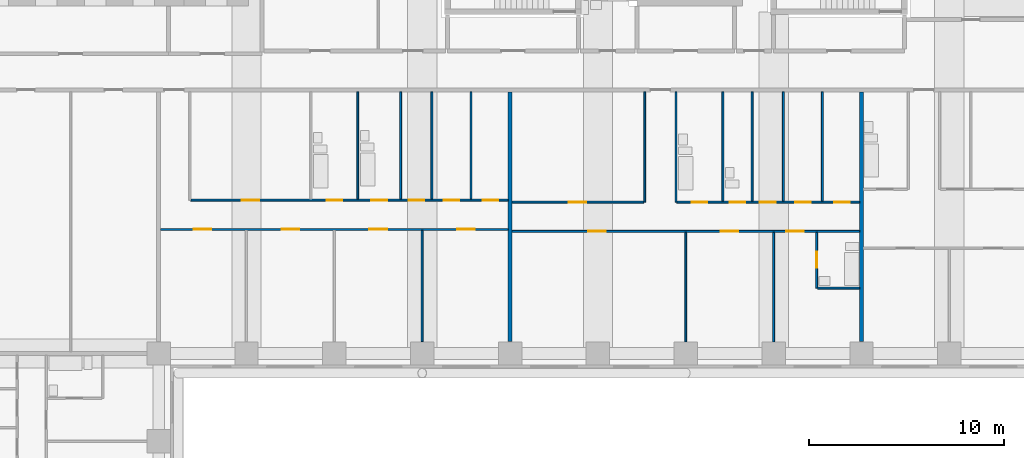
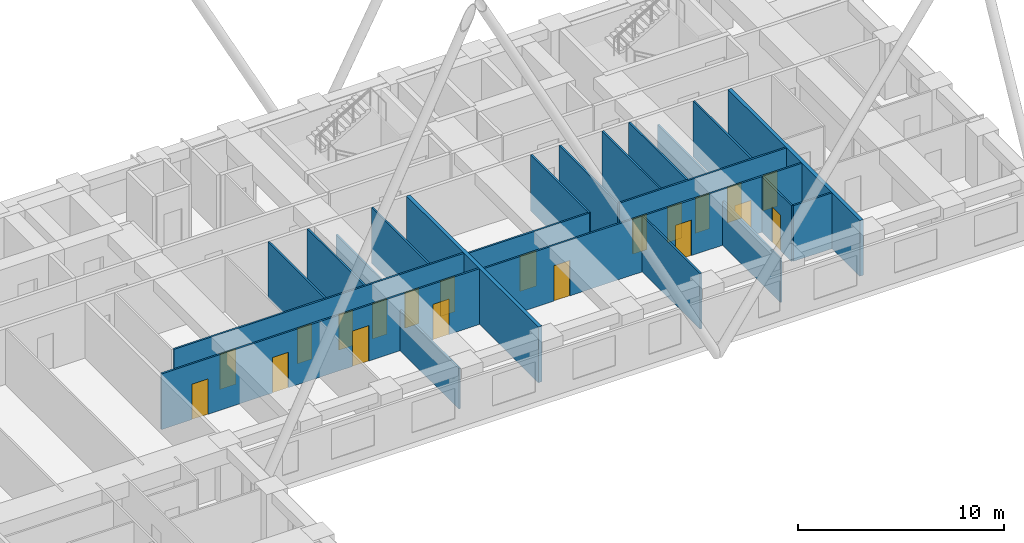
# One storey, part 7 of 12: 22 walls, 20 doors, 20 openings.
"""IFC4 building model written with IfcOpenShell, lengths in metres."""

from ifc_helpers import new_model, si_unit, direction, frame, frame_2d, origin, place, context, subcontext, project, spatial, rectangle, extrude, material, layer, layer_set, type_object, element, fill, save


model = new_model("IFC4")

# Units and contexts
model_context = context("Model", 3, precision=1e-05, world=origin(), true_north=direction((0.0, 1.0)))
body_context = subcontext(model_context, "Body", "Model", "MODEL_VIEW")
ifc_project = project(units=[si_unit("LENGTHUNIT", "METRE"), si_unit("AREAUNIT", "SQUARE_METRE"), si_unit("VOLUMEUNIT", "CUBIC_METRE"), si_unit("PLANEANGLEUNIT", "RADIAN"), si_unit("MASSUNIT", "GRAM", prefix="KILO")], contexts=[model_context])

# Site, building, storey
site_placement = place(None, origin())
site = spatial("IfcSite", under=ifc_project, at=site_placement, CompositionType="ELEMENT")
building_placement = place(site_placement, origin())
building = spatial("IfcBuilding", under=site, at=building_placement, Name="Firuza Court", CompositionType="ELEMENT")
storey_placement = place(building_placement, frame((0.0, 0.0, 93.800048828125)))
storey = spatial("IfcBuildingStorey", under=building, at=storey_placement, Name="L23", CompositionType="ELEMENT", Elevation=93.800048828125)

# Wall, opening, door
ifc_material_1 = material(Name="Moisture-resistant gypsum board partition")
ifc_layer_1 = layer(ifc_material_1, 0.10009765625)
ifc_layer_set_1 = layer_set([ifc_layer_1], Name="Moisture-resistant gypsum board partition")
wall_type_1 = type_object("IfcWallType", Name="Bathroom partition 100", PredefinedType="PLUMBINGWALL", material=ifc_layer_set_1)
wall_1_placement = place(storey_placement, frame((56.199951171875, 39.35009765625, 0.0), z_axis=(0.0, 0.0, 1.0), x_axis=(0.0, 1.0, 0.0)))
wall_1 = element("IfcWall", 1, at=wall_1_placement, inside=storey, type_object=wall_type_1, Name="Bathroom partition 100 L23", PredefinedType="PLUMBINGWALL", context=body_context, shape_type="SweptSolid", body=[
    extrude(rectangle(XDim=2.849853515625, YDim=0.10009765625, at=frame_2d((1.4248046875, 0.0))), origin(), (0.0, 0.0, 1.0), 3.300048828125),
])
opening_1_placement = place(wall_1_placement, frame((1.050048828125, 0.0, 0.0)))
opening_1 = element("IfcOpeningElement", 2, at=opening_1_placement, cuts=wall_1, Name="Opening D23041", PredefinedType="OPENING", context=body_context, shape_type="SweptSolid", body=[
    extrude(rectangle(XDim=0.800048828125, YDim=2.10009765625, at=frame_2d((0.39990234375, 1.050048828125))), frame((0.0, 0.06201171875, 0.0), z_axis=(0.0, -1.0, 0.0), x_axis=(1.0, 0.0, 0.0)), (0.0, 0.0, 1.0), 0.1240234375),
])
ifc_material_2 = material(Name="Timber door leaf in hardwood frame", Category="wood")
door_type_1 = type_object("IfcDoorType", Name="Bathroom door 800", OperationType="SINGLE_SWING_LEFT", PredefinedType="DOOR", material=ifc_material_2)
door_1_placement = place(opening_1_placement, frame((0.800048828125, 0.0, 0.0), z_axis=(0.0, 0.0, 1.0), x_axis=(-1.0, 0.0, 0.0)))
door_1 = element("IfcDoor", 3, at=door_1_placement, inside=storey, type_object=door_type_1, Name="En-suite door", OperationType="SINGLE_SWING_RIGHT", OverallHeight=2.10009765625, OverallWidth=0.800048828125, PredefinedType="DOOR", context=body_context, shape_type="SweptSolid", body=[
    extrude(rectangle(XDim=0.800048828125, YDim=2.10009765625, at=frame_2d((0.39990234375, 1.050048828125))), frame((0.0, 0.02490234375, 0.0), z_axis=(0.0, -1.0, 0.0), x_axis=(1.0, 0.0, 0.0)), (0.0, 0.0, 1.0), 0.050048828125),
])
fill(opening_1, door_1)

# Walls
wall_2_placement = place(storey_placement, frame((56.25, 39.35009765625, 0.0), z_axis=(0.0, 0.0, 1.0), x_axis=(1.0, 0.0, 0.0)))
element("IfcWall", 4, at=wall_2_placement, inside=storey, type_object=wall_type_1, Name="Bathroom partition 100 L23", PredefinedType="PLUMBINGWALL", context=body_context, shape_type="SweptSolid", body=[
    extrude(rectangle(XDim=2.14990234375, YDim=0.10009765625, at=frame_2d((1.074951171875, 0.0))), origin(), (0.0, 0.0, 1.0), 3.300048828125),
])
wall_3_placement = place(storey_placement, frame((49.0, 43.75, 0.0), z_axis=(0.0, 0.0, 1.0), x_axis=(0.0, 1.0, 0.0)))
element("IfcWall", 5, at=wall_3_placement, inside=storey, type_object=wall_type_1, Name="Bathroom partition 100 L23", PredefinedType="PLUMBINGWALL", context=body_context, shape_type="SweptSolid", body=[
    extrude(rectangle(XDim=5.64990234375, YDim=0.10009765625, at=frame_2d((2.824951171875, 0.0))), origin(), (0.0, 0.0, 1.0), 3.300048828125),
])
for number, where, z_axis, x_axis, name in (
    (6, (51.39990234375, 43.800048828125, 0.0), (0.0, 0.0, 1.0), (0.0, 1.0, 0.0), "Bathroom partition 100 L23"),
    (7, (52.89990234375, 43.800048828125, 0.0), (0.0, 0.0, 1.0), (0.0, 1.0, 0.0), "Bathroom partition 100 L23"),
):
    element("IfcWall", number, at=place(storey_placement, frame(where, z_axis=z_axis, x_axis=x_axis)), inside=storey, type_object=wall_type_1, Name=name, PredefinedType="PLUMBINGWALL", context=body_context, shape_type="SweptSolid", body=[
        extrude(rectangle(XDim=5.599853515625, YDim=0.10009765625, at=frame_2d((2.7998046875, 0.0))), origin(), (0.0, 0.0, 1.0), 3.300048828125),
    ])
for number, where, z_axis, x_axis, name in (
    (8, (32.699951171875, 43.89990234375, 0.0), (0.0, 0.0, 1.0), (0.0, 1.0, 0.0), "Bathroom partition 100 L23"),
    (9, (34.89990234375, 43.89990234375, 0.0), (0.0, 0.0, 1.0), (0.0, 1.0, 0.0), "Bathroom partition 100 L23"),
):
    element("IfcWall", number, at=place(storey_placement, frame(where, z_axis=z_axis, x_axis=x_axis)), inside=storey, type_object=wall_type_1, Name=name, PredefinedType="PLUMBINGWALL", context=body_context, shape_type="SweptSolid", body=[
        extrude(rectangle(XDim=5.5, YDim=0.10009765625, at=frame_2d((2.75, 0.0))), origin(), (0.0, 0.0, 1.0), 3.300048828125),
    ])
ifc_material_3 = material(Name="Timber stud partition, plasterboard both sides", Category="wood")
ifc_layer_2 = layer(ifc_material_3, 0.10009765625)
ifc_layer_set_2 = layer_set([ifc_layer_2], Name="Timber stud partition, plasterboard both sides")
wall_type_2 = type_object("IfcWallType", Name="Partition wall 100", PredefinedType="PARTITIONING", material=ifc_layer_set_2)
wall_4_placement = place(storey_placement, frame((36.0, 36.60009765625, 0.0), z_axis=(0.0, 0.0, 1.0), x_axis=(0.0, 1.0, 0.0)))
element("IfcWall", 10, at=wall_4_placement, inside=storey, type_object=wall_type_2, Name="Partition wall 100 L23", PredefinedType="PARTITIONING", context=body_context, shape_type="SweptSolid", body=[
    extrude(rectangle(XDim=5.699951171875, YDim=0.10009765625, at=frame_2d((2.85009765625, 0.0))), origin(), (0.0, 0.0, 1.0), 2.39990234375),
])
wall_5_placement = place(storey_placement, frame((49.5, 36.60009765625, 0.0), z_axis=(0.0, 0.0, 1.0), x_axis=(0.0, 1.0, 0.0)))
element("IfcWall", 11, at=wall_5_placement, inside=storey, type_object=wall_type_2, Name="Partition wall 100 L23", PredefinedType="PARTITIONING", context=body_context, shape_type="SweptSolid", body=[
    extrude(rectangle(XDim=5.599853515625, YDim=0.10009765625, at=frame_2d((2.7998046875, 0.0))), origin(), (0.0, 0.0, 1.0), 3.300048828125),
])
wall_6_placement = place(storey_placement, frame((54.0, 36.60009765625, 0.0), z_axis=(0.0, 0.0, 1.0), x_axis=(0.0, 1.0, 0.0)))
element("IfcWall", 12, at=wall_6_placement, inside=storey, type_object=wall_type_2, Name="Partition wall 100 L23", PredefinedType="PARTITIONING", context=body_context, shape_type="SweptSolid", body=[
    extrude(rectangle(XDim=5.599853515625, YDim=0.10009765625, at=frame_2d((2.7998046875, 0.0))), origin(), (0.0, 0.0, 1.0), 2.599853515625),
])

# Wall, openings, doors
wall_7_placement = place(storey_placement, frame((40.60009765625, 42.25, 0.0), z_axis=(0.0, 0.0, 1.0), x_axis=(1.0, 0.0, 0.0)))
wall_7 = element("IfcWall", 13, at=wall_7_placement, inside=storey, type_object=wall_type_2, Name="Partition wall 100 L23", PredefinedType="PARTITIONING", context=body_context, shape_type="SweptSolid", body=[
    extrude(rectangle(XDim=17.7998046875, YDim=0.10009765625, at=frame_2d((8.89990234375, 0.0))), origin(), (0.0, 0.0, 1.0), 3.300048828125),
])
opening_2_placement = place(wall_7_placement, frame((3.89990234375, 0.0, 0.0)))
opening_2 = element("IfcOpeningElement", 14, at=opening_2_placement, cuts=wall_7, Name="Opening D23044", PredefinedType="OPENING", context=body_context, shape_type="SweptSolid", body=[
    extrude(rectangle(XDim=0.89990234375, YDim=2.10009765625, at=frame_2d((0.449951171875, 1.050048828125))), frame((0.0, 0.06201171875, 0.0), z_axis=(0.0, -1.0, 0.0), x_axis=(1.0, 0.0, 0.0)), (0.0, 0.0, 1.0), 0.1240234375),
])
opening_3_placement = place(wall_7_placement, frame((10.699951171875, 0.0, 0.0)))
opening_3 = element("IfcOpeningElement", 15, at=opening_3_placement, cuts=wall_7, Name="Opening D23045", PredefinedType="OPENING", context=body_context, shape_type="SweptSolid", body=[
    extrude(rectangle(XDim=0.89990234375, YDim=2.10009765625, at=frame_2d((0.449951171875, 1.050048828125))), frame((0.0, 0.06201171875, 0.0), z_axis=(0.0, -1.0, 0.0), x_axis=(1.0, 0.0, 0.0)), (0.0, 0.0, 1.0), 0.1240234375),
])
opening_4_placement = place(wall_7_placement, frame((14.050048828125, 0.0, 0.0)))
opening_4 = element("IfcOpeningElement", 16, at=opening_4_placement, cuts=wall_7, Name="Opening D23046", PredefinedType="OPENING", context=body_context, shape_type="SweptSolid", body=[
    extrude(rectangle(XDim=0.89990234375, YDim=2.10009765625, at=frame_2d((0.449951171875, 1.050048828125))), frame((0.0, 0.06201171875, 0.0), z_axis=(0.0, -1.0, 0.0), x_axis=(1.0, 0.0, 0.0)), (0.0, 0.0, 1.0), 0.1240234375),
])
ifc_material_4 = material(Name="Timber door leaf in hardwood frame", Category="wood")
door_type_2 = type_object("IfcDoorType", Name="Room door 900", OperationType="SINGLE_SWING_LEFT", PredefinedType="DOOR", material=ifc_material_4)
door_2_placement = place(opening_2_placement, frame((0.89990234375, 0.0, 0.0), z_axis=(0.0, 0.0, 1.0), x_axis=(-1.0, 0.0, 0.0)))
door_2 = element("IfcDoor", 17, at=door_2_placement, inside=storey, type_object=door_type_2, Name="Living room door", OperationType="SINGLE_SWING_RIGHT", OverallHeight=2.10009765625, OverallWidth=0.89990234375, PredefinedType="DOOR", context=body_context, shape_type="SweptSolid", body=[
    extrude(rectangle(XDim=0.89990234375, YDim=2.10009765625, at=frame_2d((0.449951171875, 1.050048828125))), frame((0.0, 0.02490234375, 0.0), z_axis=(0.0, -1.0, 0.0), x_axis=(1.0, 0.0, 0.0)), (0.0, 0.0, 1.0), 0.050048828125),
])
fill(opening_2, door_2)
door_3_placement = place(opening_3_placement, frame((0.89990234375, 0.0, 0.0), z_axis=(0.0, 0.0, 1.0), x_axis=(-1.0, 0.0, 0.0)))
door_3 = element("IfcDoor", 18, at=door_3_placement, inside=storey, type_object=door_type_2, Name="Bedroom door", OperationType="SINGLE_SWING_RIGHT", OverallHeight=2.10009765625, OverallWidth=0.89990234375, PredefinedType="DOOR", context=body_context, shape_type="SweptSolid", body=[
    extrude(rectangle(XDim=0.89990234375, YDim=2.10009765625, at=frame_2d((0.449951171875, 1.050048828125))), frame((0.0, 0.02490234375, 0.0), z_axis=(0.0, -1.0, 0.0), x_axis=(1.0, 0.0, 0.0)), (0.0, 0.0, 1.0), 0.050048828125),
])
fill(opening_3, door_3)
door_4_placement = place(opening_4_placement, frame((0.89990234375, 0.0, 0.0), z_axis=(0.0, 0.0, 1.0), x_axis=(-1.0, 0.0, 0.0)))
door_4 = element("IfcDoor", 19, at=door_4_placement, inside=storey, type_object=door_type_2, Name="Bedroom door", OperationType="SINGLE_SWING_RIGHT", OverallHeight=2.10009765625, OverallWidth=0.89990234375, PredefinedType="DOOR", context=body_context, shape_type="SweptSolid", body=[
    extrude(rectangle(XDim=0.89990234375, YDim=2.10009765625, at=frame_2d((0.449951171875, 1.050048828125))), frame((0.0, 0.02490234375, 0.0), z_axis=(0.0, -1.0, 0.0), x_axis=(1.0, 0.0, 0.0)), (0.0, 0.0, 1.0), 0.050048828125),
])
fill(opening_4, door_4)

wall_8_placement = place(storey_placement, frame((22.60009765625, 42.35009765625, 0.0), z_axis=(0.0, 0.0, 1.0), x_axis=(1.0, 0.0, 0.0)))
wall_8 = element("IfcWall", 20, at=wall_8_placement, inside=storey, type_object=wall_type_2, Name="Partition wall 100 L23", PredefinedType="PARTITIONING", context=body_context, shape_type="SweptSolid", body=[
    extrude(rectangle(XDim=17.7998046875, YDim=0.10009765625, at=frame_2d((8.89990234375, 0.0))), origin(), (0.0, 0.0, 1.0), 3.300048828125),
])
opening_5_placement = place(wall_8_placement, frame((1.699951171875, 0.0, 0.0)))
opening_5 = element("IfcOpeningElement", 21, at=opening_5_placement, cuts=wall_8, Name="Opening D23047", PredefinedType="OPENING", context=body_context, shape_type="SweptSolid", body=[
    extrude(rectangle(XDim=0.89990234375, YDim=2.10009765625, at=frame_2d((0.449951171875, 1.050048828125))), frame((0.0, 0.06201171875, 0.0), z_axis=(0.0, -1.0, 0.0), x_axis=(1.0, 0.0, 0.0)), (0.0, 0.0, 1.0), 0.1240234375),
])
opening_6_placement = place(wall_8_placement, frame((6.199951171875, 0.0, 0.0)))
opening_6 = element("IfcOpeningElement", 22, at=opening_6_placement, cuts=wall_8, Name="Opening D23048", PredefinedType="OPENING", context=body_context, shape_type="SweptSolid", body=[
    extrude(rectangle(XDim=0.89990234375, YDim=2.10009765625, at=frame_2d((0.449951171875, 1.050048828125))), frame((0.0, 0.06201171875, 0.0), z_axis=(0.0, -1.0, 0.0), x_axis=(1.0, 0.0, 0.0)), (0.0, 0.0, 1.0), 0.1240234375),
])
opening_7_placement = place(wall_8_placement, frame((10.699951171875, 0.0, 0.0)))
opening_7 = element("IfcOpeningElement", 23, at=opening_7_placement, cuts=wall_8, Name="Opening D23049", PredefinedType="OPENING", context=body_context, shape_type="SweptSolid", body=[
    extrude(rectangle(XDim=0.89990234375, YDim=2.10009765625, at=frame_2d((0.449951171875, 1.050048828125))), frame((0.0, 0.06201171875, 0.0), z_axis=(0.0, -1.0, 0.0), x_axis=(1.0, 0.0, 0.0)), (0.0, 0.0, 1.0), 0.1240234375),
])
opening_8_placement = place(wall_8_placement, frame((15.199951171875, 0.0, 0.0)))
opening_8 = element("IfcOpeningElement", 24, at=opening_8_placement, cuts=wall_8, Name="Opening D23050", PredefinedType="OPENING", context=body_context, shape_type="SweptSolid", body=[
    extrude(rectangle(XDim=0.89990234375, YDim=2.10009765625, at=frame_2d((0.449951171875, 1.050048828125))), frame((0.0, 0.06201171875, 0.0), z_axis=(0.0, -1.0, 0.0), x_axis=(1.0, 0.0, 0.0)), (0.0, 0.0, 1.0), 0.1240234375),
])
door_5_placement = place(opening_5_placement, frame((0.89990234375, 0.0, 0.0), z_axis=(0.0, 0.0, 1.0), x_axis=(-1.0, 0.0, 0.0)))
door_5 = element("IfcDoor", 25, at=door_5_placement, inside=storey, type_object=door_type_2, Name="Living room door", OperationType="SINGLE_SWING_RIGHT", OverallHeight=2.10009765625, OverallWidth=0.89990234375, PredefinedType="DOOR", context=body_context, shape_type="SweptSolid", body=[
    extrude(rectangle(XDim=0.89990234375, YDim=2.10009765625, at=frame_2d((0.449951171875, 1.050048828125))), frame((0.0, 0.02490234375, 0.0), z_axis=(0.0, -1.0, 0.0), x_axis=(1.0, 0.0, 0.0)), (0.0, 0.0, 1.0), 0.050048828125),
])
fill(opening_5, door_5)
door_6_placement = place(opening_6_placement, frame((0.89990234375, 0.0, 0.0), z_axis=(0.0, 0.0, 1.0), x_axis=(-1.0, 0.0, 0.0)))
door_6 = element("IfcDoor", 26, at=door_6_placement, inside=storey, type_object=door_type_2, Name="Bedroom door", OperationType="SINGLE_SWING_RIGHT", OverallHeight=2.10009765625, OverallWidth=0.89990234375, PredefinedType="DOOR", context=body_context, shape_type="SweptSolid", body=[
    extrude(rectangle(XDim=0.89990234375, YDim=2.10009765625, at=frame_2d((0.449951171875, 1.050048828125))), frame((0.0, 0.02490234375, 0.0), z_axis=(0.0, -1.0, 0.0), x_axis=(1.0, 0.0, 0.0)), (0.0, 0.0, 1.0), 0.050048828125),
])
fill(opening_6, door_6)
door_7_placement = place(opening_7_placement, frame((0.89990234375, 0.0, 0.0), z_axis=(0.0, 0.0, 1.0), x_axis=(-1.0, 0.0, 0.0)))
door_7 = element("IfcDoor", 27, at=door_7_placement, inside=storey, type_object=door_type_2, Name="Bedroom door", OperationType="SINGLE_SWING_RIGHT", OverallHeight=2.10009765625, OverallWidth=0.89990234375, PredefinedType="DOOR", context=body_context, shape_type="SweptSolid", body=[
    extrude(rectangle(XDim=0.89990234375, YDim=2.10009765625, at=frame_2d((0.449951171875, 1.050048828125))), frame((0.0, 0.02490234375, 0.0), z_axis=(0.0, -1.0, 0.0), x_axis=(1.0, 0.0, 0.0)), (0.0, 0.0, 1.0), 0.050048828125),
])
fill(opening_7, door_7)
door_8_placement = place(opening_8_placement, frame((0.89990234375, 0.0, 0.0), z_axis=(0.0, 0.0, 1.0), x_axis=(-1.0, 0.0, 0.0)))
door_8 = element("IfcDoor", 28, at=door_8_placement, inside=storey, type_object=door_type_2, Name="Bedroom door", OperationType="SINGLE_SWING_RIGHT", OverallHeight=2.10009765625, OverallWidth=0.89990234375, PredefinedType="DOOR", context=body_context, shape_type="SweptSolid", body=[
    extrude(rectangle(XDim=0.89990234375, YDim=2.10009765625, at=frame_2d((0.449951171875, 1.050048828125))), frame((0.0, 0.02490234375, 0.0), z_axis=(0.0, -1.0, 0.0), x_axis=(1.0, 0.0, 0.0)), (0.0, 0.0, 1.0), 0.050048828125),
])
fill(opening_8, door_8)

# Wall, opening, door
wall_9_placement = place(storey_placement, frame((40.60009765625, 43.75, 0.0), z_axis=(0.0, 0.0, 1.0), x_axis=(1.0, 0.0, 0.0)))
wall_9 = element("IfcWall", 29, at=wall_9_placement, inside=storey, type_object=wall_type_2, Name="Partition wall 100 L23", PredefinedType="PARTITIONING", context=body_context, shape_type="SweptSolid", body=[
    extrude(rectangle(XDim=6.75, YDim=0.10009765625, at=frame_2d((3.375, 0.0))), origin(), (0.0, 0.0, 1.0), 3.300048828125),
])
opening_9_placement = place(wall_9_placement, frame((2.89990234375, 0.0, 0.0)))
opening_9 = element("IfcOpeningElement", 30, at=opening_9_placement, cuts=wall_9, Name="Opening D23051", PredefinedType="OPENING", context=body_context, shape_type="SweptSolid", body=[
    extrude(rectangle(XDim=0.89990234375, YDim=2.10009765625, at=frame_2d((0.449951171875, 1.050048828125))), frame((0.0, 0.06201171875, 0.0), z_axis=(0.0, -1.0, 0.0), x_axis=(1.0, 0.0, 0.0)), (0.0, 0.0, 1.0), 0.1240234375),
])
door_9_placement = place(opening_9_placement, origin())
door_9 = element("IfcDoor", 31, at=door_9_placement, inside=storey, type_object=door_type_2, Name="Kitchen door", OperationType="SINGLE_SWING_LEFT", OverallHeight=2.10009765625, OverallWidth=0.89990234375, PredefinedType="DOOR", context=body_context, shape_type="SweptSolid", body=[
    extrude(rectangle(XDim=0.89990234375, YDim=2.10009765625, at=frame_2d((0.449951171875, 1.050048828125))), frame((0.0, 0.02490234375, 0.0), z_axis=(0.0, -1.0, 0.0), x_axis=(1.0, 0.0, 0.0)), (0.0, 0.0, 1.0), 0.050048828125),
])
fill(opening_9, door_9)

# Wall
wall_10_placement = place(storey_placement, frame((47.39990234375, 43.75, 0.0), z_axis=(0.0, 0.0, 1.0), x_axis=(0.0, 1.0, 0.0)))
element("IfcWall", 32, at=wall_10_placement, inside=storey, type_object=wall_type_2, Name="Partition wall 100 L23", PredefinedType="PARTITIONING", context=body_context, shape_type="SweptSolid", body=[
    extrude(rectangle(XDim=5.64990234375, YDim=0.10009765625, at=frame_2d((2.824951171875, 0.0))), origin(), (0.0, 0.0, 1.0), 3.300048828125),
])

# Wall, openings, doors
wall_11_placement = place(storey_placement, frame((49.050048828125, 43.75, 0.0), z_axis=(0.0, 0.0, 1.0), x_axis=(1.0, 0.0, 0.0)))
wall_11 = element("IfcWall", 33, at=wall_11_placement, inside=storey, type_object=wall_type_2, Name="Partition wall 100 L23", PredefinedType="PARTITIONING", context=body_context, shape_type="SweptSolid", body=[
    extrude(rectangle(XDim=9.349853515625, YDim=0.10009765625, at=frame_2d((4.6748046875, 0.0))), origin(), (0.0, 0.0, 1.0), 3.300048828125),
])
opening_10_placement = place(wall_11_placement, frame((0.75, 0.0, 0.0)))
opening_10 = element("IfcOpeningElement", 34, at=opening_10_placement, cuts=wall_11, Name="Opening D23052", PredefinedType="OPENING", context=body_context, shape_type="SweptSolid", body=[
    extrude(rectangle(XDim=0.800048828125, YDim=2.10009765625, at=frame_2d((0.39990234375, 1.050048828125))), frame((0.0, 0.06201171875, 0.0), z_axis=(0.0, -1.0, 0.0), x_axis=(1.0, 0.0, 0.0)), (0.0, 0.0, 1.0), 0.1240234375),
])
opening_11_placement = place(wall_11_placement, frame((8.050048828125, 0.0, 0.0)))
opening_11 = element("IfcOpeningElement", 35, at=opening_11_placement, cuts=wall_11, Name="Opening D23053", PredefinedType="OPENING", context=body_context, shape_type="SweptSolid", body=[
    extrude(rectangle(XDim=0.800048828125, YDim=2.10009765625, at=frame_2d((0.39990234375, 1.050048828125))), frame((0.0, 0.06201171875, 0.0), z_axis=(0.0, -1.0, 0.0), x_axis=(1.0, 0.0, 0.0)), (0.0, 0.0, 1.0), 0.1240234375),
])
opening_12_placement = place(wall_11_placement, frame((4.25, 0.0, 0.0)))
opening_12 = element("IfcOpeningElement", 36, at=opening_12_placement, cuts=wall_11, Name="Opening D23054", PredefinedType="OPENING", context=body_context, shape_type="SweptSolid", body=[
    extrude(rectangle(XDim=0.800048828125, YDim=2.10009765625, at=frame_2d((0.39990234375, 1.050048828125))), frame((0.0, 0.06201171875, 0.0), z_axis=(0.0, -1.0, 0.0), x_axis=(1.0, 0.0, 0.0)), (0.0, 0.0, 1.0), 0.1240234375),
])
opening_13_placement = place(wall_11_placement, frame((6.050048828125, 0.0, 0.0)))
opening_13 = element("IfcOpeningElement", 37, at=opening_13_placement, cuts=wall_11, Name="Opening D23055", PredefinedType="OPENING", context=body_context, shape_type="SweptSolid", body=[
    extrude(rectangle(XDim=0.800048828125, YDim=2.10009765625, at=frame_2d((0.39990234375, 1.050048828125))), frame((0.0, 0.06201171875, 0.0), z_axis=(0.0, -1.0, 0.0), x_axis=(1.0, 0.0, 0.0)), (0.0, 0.0, 1.0), 0.1240234375),
])
opening_14_placement = place(wall_11_placement, frame((2.699951171875, 0.0, 0.0)))
opening_14 = element("IfcOpeningElement", 38, at=opening_14_placement, cuts=wall_11, Name="Opening D23056", PredefinedType="OPENING", context=body_context, shape_type="SweptSolid", body=[
    extrude(rectangle(XDim=0.800048828125, YDim=2.10009765625, at=frame_2d((0.39990234375, 1.050048828125))), frame((0.0, 0.06201171875, 0.0), z_axis=(0.0, -1.0, 0.0), x_axis=(1.0, 0.0, 0.0)), (0.0, 0.0, 1.0), 0.1240234375),
])
door_10_placement = place(opening_10_placement, origin())
door_10 = element("IfcDoor", 39, at=door_10_placement, inside=storey, type_object=door_type_1, Name="Bathroom door", OperationType="SINGLE_SWING_LEFT", OverallHeight=2.10009765625, OverallWidth=0.800048828125, PredefinedType="DOOR", context=body_context, shape_type="SweptSolid", body=[
    extrude(rectangle(XDim=0.800048828125, YDim=2.10009765625, at=frame_2d((0.39990234375, 1.050048828125))), frame((0.0, 0.02490234375, 0.0), z_axis=(0.0, -1.0, 0.0), x_axis=(1.0, 0.0, 0.0)), (0.0, 0.0, 1.0), 0.050048828125),
])
fill(opening_10, door_10)
door_11_placement = place(opening_14_placement, origin())
door_11 = element("IfcDoor", 40, at=door_11_placement, inside=storey, type_object=door_type_1, Name="Powder room door", OperationType="SINGLE_SWING_LEFT", OverallHeight=2.10009765625, OverallWidth=0.800048828125, PredefinedType="DOOR", context=body_context, shape_type="SweptSolid", body=[
    extrude(rectangle(XDim=0.800048828125, YDim=2.10009765625, at=frame_2d((0.39990234375, 1.050048828125))), frame((0.0, 0.02490234375, 0.0), z_axis=(0.0, -1.0, 0.0), x_axis=(1.0, 0.0, 0.0)), (0.0, 0.0, 1.0), 0.050048828125),
])
fill(opening_14, door_11)
ifc_material_5 = material(Name="Timber door leaf in hardwood frame", Category="wood")
door_type_3 = type_object("IfcDoorType", Name="Room door 800", OperationType="SINGLE_SWING_LEFT", PredefinedType="DOOR", material=ifc_material_5)
door_12_placement = place(opening_11_placement, origin())
door_12 = element("IfcDoor", 41, at=door_12_placement, inside=storey, type_object=door_type_3, Name="Pantry door", OperationType="SINGLE_SWING_LEFT", OverallHeight=2.10009765625, OverallWidth=0.800048828125, PredefinedType="DOOR", context=body_context, shape_type="SweptSolid", body=[
    extrude(rectangle(XDim=0.800048828125, YDim=2.10009765625, at=frame_2d((0.39990234375, 1.050048828125))), frame((0.0, 0.02490234375, 0.0), z_axis=(0.0, -1.0, 0.0), x_axis=(1.0, 0.0, 0.0)), (0.0, 0.0, 1.0), 0.050048828125),
])
fill(opening_11, door_12)
door_13_placement = place(opening_12_placement, origin())
door_13 = element("IfcDoor", 42, at=door_13_placement, inside=storey, type_object=door_type_3, Name="Store door", OperationType="SINGLE_SWING_LEFT", OverallHeight=2.10009765625, OverallWidth=0.800048828125, PredefinedType="DOOR", context=body_context, shape_type="SweptSolid", body=[
    extrude(rectangle(XDim=0.800048828125, YDim=2.10009765625, at=frame_2d((0.39990234375, 1.050048828125))), frame((0.0, 0.02490234375, 0.0), z_axis=(0.0, -1.0, 0.0), x_axis=(1.0, 0.0, 0.0)), (0.0, 0.0, 1.0), 0.050048828125),
])
fill(opening_12, door_13)
door_14_placement = place(opening_13_placement, origin())
door_14 = element("IfcDoor", 43, at=door_14_placement, inside=storey, type_object=door_type_3, Name="Utility room door", OperationType="SINGLE_SWING_LEFT", OverallHeight=2.10009765625, OverallWidth=0.800048828125, PredefinedType="DOOR", context=body_context, shape_type="SweptSolid", body=[
    extrude(rectangle(XDim=0.800048828125, YDim=2.10009765625, at=frame_2d((0.39990234375, 1.050048828125))), frame((0.0, 0.02490234375, 0.0), z_axis=(0.0, -1.0, 0.0), x_axis=(1.0, 0.0, 0.0)), (0.0, 0.0, 1.0), 0.050048828125),
])
fill(opening_13, door_14)

# Walls
wall_12_placement = place(storey_placement, frame((54.5, 43.800048828125, 0.0), z_axis=(0.0, 0.0, 1.0), x_axis=(0.0, 1.0, 0.0)))
element("IfcWall", 44, at=wall_12_placement, inside=storey, type_object=wall_type_2, Name="Partition wall 100 L23", PredefinedType="PARTITIONING", context=body_context, shape_type="SweptSolid", body=[
    extrude(rectangle(XDim=5.599853515625, YDim=0.10009765625, at=frame_2d((2.7998046875, 0.0))), origin(), (0.0, 0.0, 1.0), 2.599853515625),
])
wall_13_placement = place(storey_placement, frame((56.5, 43.800048828125, 0.0), z_axis=(0.0, 0.0, 1.0), x_axis=(0.0, 1.0, 0.0)))
element("IfcWall", 45, at=wall_13_placement, inside=storey, type_object=wall_type_2, Name="Partition wall 100 L23", PredefinedType="PARTITIONING", context=body_context, shape_type="SweptSolid", body=[
    extrude(rectangle(XDim=5.599853515625, YDim=0.10009765625, at=frame_2d((2.7998046875, 0.0))), origin(), (0.0, 0.0, 1.0), 3.300048828125),
])

# Wall, openings, doors
wall_14_placement = place(storey_placement, frame((24.14990234375, 43.85009765625, 0.0), z_axis=(0.0, 0.0, 1.0), x_axis=(1.0, 0.0, 0.0)))
wall_14 = element("IfcWall", 46, at=wall_14_placement, inside=storey, type_object=wall_type_2, Name="Partition wall 100 L23", PredefinedType="PARTITIONING", context=body_context, shape_type="SweptSolid", body=[
    extrude(rectangle(XDim=16.25, YDim=0.10009765625, at=frame_2d((8.125, 0.0))), origin(), (0.0, 0.0, 1.0), 3.300048828125),
])
opening_15_placement = place(wall_14_placement, frame((6.949951171875, 0.0, 0.0)))
opening_15 = element("IfcOpeningElement", 47, at=opening_15_placement, cuts=wall_14, Name="Opening D23057", PredefinedType="OPENING", context=body_context, shape_type="SweptSolid", body=[
    extrude(rectangle(XDim=0.800048828125, YDim=2.10009765625, at=frame_2d((0.39990234375, 1.050048828125))), frame((0.0, 0.06201171875, 0.0), z_axis=(0.0, -1.0, 0.0), x_axis=(1.0, 0.0, 0.0)), (0.0, 0.0, 1.0), 0.1240234375),
])
opening_16_placement = place(wall_14_placement, frame((9.25, 0.0, 0.0)))
opening_16 = element("IfcOpeningElement", 48, at=opening_16_placement, cuts=wall_14, Name="Opening D23058", PredefinedType="OPENING", context=body_context, shape_type="SweptSolid", body=[
    extrude(rectangle(XDim=0.800048828125, YDim=2.10009765625, at=frame_2d((0.39990234375, 1.050048828125))), frame((0.0, 0.06201171875, 0.0), z_axis=(0.0, -1.0, 0.0), x_axis=(1.0, 0.0, 0.0)), (0.0, 0.0, 1.0), 0.1240234375),
])
opening_17_placement = place(wall_14_placement, frame((2.60009765625, 0.0, 0.0)))
opening_17 = element("IfcOpeningElement", 49, at=opening_17_placement, cuts=wall_14, Name="Opening D23059", PredefinedType="OPENING", context=body_context, shape_type="SweptSolid", body=[
    extrude(rectangle(XDim=0.89990234375, YDim=2.10009765625, at=frame_2d((0.449951171875, 1.050048828125))), frame((0.0, 0.06201171875, 0.0), z_axis=(0.0, -1.0, 0.0), x_axis=(1.0, 0.0, 0.0)), (0.0, 0.0, 1.0), 0.1240234375),
])
opening_18_placement = place(wall_14_placement, frame((14.949951171875, 0.0, 0.0)))
opening_18 = element("IfcOpeningElement", 50, at=opening_18_placement, cuts=wall_14, Name="Opening D23060", PredefinedType="OPENING", context=body_context, shape_type="SweptSolid", body=[
    extrude(rectangle(XDim=0.800048828125, YDim=2.10009765625, at=frame_2d((0.39990234375, 1.050048828125))), frame((0.0, 0.06201171875, 0.0), z_axis=(0.0, -1.0, 0.0), x_axis=(1.0, 0.0, 0.0)), (0.0, 0.0, 1.0), 0.1240234375),
])
opening_19_placement = place(wall_14_placement, frame((11.14990234375, 0.0, 0.0)))
opening_19 = element("IfcOpeningElement", 51, at=opening_19_placement, cuts=wall_14, Name="Opening D23061", PredefinedType="OPENING", context=body_context, shape_type="SweptSolid", body=[
    extrude(rectangle(XDim=0.800048828125, YDim=2.10009765625, at=frame_2d((0.39990234375, 1.050048828125))), frame((0.0, 0.06201171875, 0.0), z_axis=(0.0, -1.0, 0.0), x_axis=(1.0, 0.0, 0.0)), (0.0, 0.0, 1.0), 0.1240234375),
])
opening_20_placement = place(wall_14_placement, frame((12.949951171875, 0.0, 0.0)))
opening_20 = element("IfcOpeningElement", 52, at=opening_20_placement, cuts=wall_14, Name="Opening D23062", PredefinedType="OPENING", context=body_context, shape_type="SweptSolid", body=[
    extrude(rectangle(XDim=0.800048828125, YDim=2.10009765625, at=frame_2d((0.39990234375, 1.050048828125))), frame((0.0, 0.06201171875, 0.0), z_axis=(0.0, -1.0, 0.0), x_axis=(1.0, 0.0, 0.0)), (0.0, 0.0, 1.0), 0.1240234375),
])
door_15_placement = place(opening_15_placement, origin())
door_15 = element("IfcDoor", 53, at=door_15_placement, inside=storey, type_object=door_type_1, Name="Bathroom door", OperationType="SINGLE_SWING_LEFT", OverallHeight=2.10009765625, OverallWidth=0.800048828125, PredefinedType="DOOR", context=body_context, shape_type="SweptSolid", body=[
    extrude(rectangle(XDim=0.800048828125, YDim=2.10009765625, at=frame_2d((0.39990234375, 1.050048828125))), frame((0.0, 0.02490234375, 0.0), z_axis=(0.0, -1.0, 0.0), x_axis=(1.0, 0.0, 0.0)), (0.0, 0.0, 1.0), 0.050048828125),
])
fill(opening_15, door_15)
door_16_placement = place(opening_16_placement, origin())
door_16 = element("IfcDoor", 54, at=door_16_placement, inside=storey, type_object=door_type_1, Name="Bathroom 2 door", OperationType="SINGLE_SWING_LEFT", OverallHeight=2.10009765625, OverallWidth=0.800048828125, PredefinedType="DOOR", context=body_context, shape_type="SweptSolid", body=[
    extrude(rectangle(XDim=0.800048828125, YDim=2.10009765625, at=frame_2d((0.39990234375, 1.050048828125))), frame((0.0, 0.02490234375, 0.0), z_axis=(0.0, -1.0, 0.0), x_axis=(1.0, 0.0, 0.0)), (0.0, 0.0, 1.0), 0.050048828125),
])
fill(opening_16, door_16)
door_17_placement = place(opening_18_placement, origin())
door_17 = element("IfcDoor", 55, at=door_17_placement, inside=storey, type_object=door_type_3, Name="Pantry door", OperationType="SINGLE_SWING_LEFT", OverallHeight=2.10009765625, OverallWidth=0.800048828125, PredefinedType="DOOR", context=body_context, shape_type="SweptSolid", body=[
    extrude(rectangle(XDim=0.800048828125, YDim=2.10009765625, at=frame_2d((0.39990234375, 1.050048828125))), frame((0.0, 0.02490234375, 0.0), z_axis=(0.0, -1.0, 0.0), x_axis=(1.0, 0.0, 0.0)), (0.0, 0.0, 1.0), 0.050048828125),
])
fill(opening_18, door_17)
door_18_placement = place(opening_19_placement, origin())
door_18 = element("IfcDoor", 56, at=door_18_placement, inside=storey, type_object=door_type_3, Name="Store door", OperationType="SINGLE_SWING_LEFT", OverallHeight=2.10009765625, OverallWidth=0.800048828125, PredefinedType="DOOR", context=body_context, shape_type="SweptSolid", body=[
    extrude(rectangle(XDim=0.800048828125, YDim=2.10009765625, at=frame_2d((0.39990234375, 1.050048828125))), frame((0.0, 0.02490234375, 0.0), z_axis=(0.0, -1.0, 0.0), x_axis=(1.0, 0.0, 0.0)), (0.0, 0.0, 1.0), 0.050048828125),
])
fill(opening_19, door_18)
door_19_placement = place(opening_20_placement, origin())
door_19 = element("IfcDoor", 57, at=door_19_placement, inside=storey, type_object=door_type_3, Name="Utility room door", OperationType="SINGLE_SWING_LEFT", OverallHeight=2.10009765625, OverallWidth=0.800048828125, PredefinedType="DOOR", context=body_context, shape_type="SweptSolid", body=[
    extrude(rectangle(XDim=0.800048828125, YDim=2.10009765625, at=frame_2d((0.39990234375, 1.050048828125))), frame((0.0, 0.02490234375, 0.0), z_axis=(0.0, -1.0, 0.0), x_axis=(1.0, 0.0, 0.0)), (0.0, 0.0, 1.0), 0.050048828125),
])
fill(opening_20, door_19)
door_20_placement = place(opening_17_placement, origin())
door_20 = element("IfcDoor", 58, at=door_20_placement, inside=storey, type_object=door_type_2, Name="Kitchen door", OperationType="SINGLE_SWING_LEFT", OverallHeight=2.10009765625, OverallWidth=0.89990234375, PredefinedType="DOOR", context=body_context, shape_type="SweptSolid", body=[
    extrude(rectangle(XDim=0.89990234375, YDim=2.10009765625, at=frame_2d((0.449951171875, 1.050048828125))), frame((0.0, 0.02490234375, 0.0), z_axis=(0.0, -1.0, 0.0), x_axis=(1.0, 0.0, 0.0)), (0.0, 0.0, 1.0), 0.050048828125),
])
fill(opening_17, door_20)

# Walls
wall_15_placement = place(storey_placement, frame((36.5, 43.89990234375, 0.0), z_axis=(0.0, 0.0, 1.0), x_axis=(0.0, 1.0, 0.0)))
element("IfcWall", 59, at=wall_15_placement, inside=storey, type_object=wall_type_2, Name="Partition wall 100 L23", PredefinedType="PARTITIONING", context=body_context, shape_type="SweptSolid", body=[
    extrude(rectangle(XDim=5.5, YDim=0.10009765625, at=frame_2d((2.75, 0.0))), origin(), (0.0, 0.0, 1.0), 2.39990234375),
])
wall_16_placement = place(storey_placement, frame((38.5, 43.89990234375, 0.0), z_axis=(0.0, 0.0, 1.0), x_axis=(0.0, 1.0, 0.0)))
element("IfcWall", 60, at=wall_16_placement, inside=storey, type_object=wall_type_2, Name="Partition wall 100 L23", PredefinedType="PARTITIONING", context=body_context, shape_type="SweptSolid", body=[
    extrude(rectangle(XDim=5.5, YDim=0.10009765625, at=frame_2d((2.75, 0.0))), origin(), (0.0, 0.0, 1.0), 3.300048828125),
])
ifc_material_6 = material(Name="Blockwork, plastered both sides", Category="masonry")
ifc_layer_3 = layer(ifc_material_6, 0.199951171875)
ifc_layer_set_3 = layer_set([ifc_layer_3], Name="Blockwork, plastered both sides")
wall_type_3 = type_object("IfcWallType", Name="Party wall 200", PredefinedType="PARTITIONING", material=ifc_layer_set_3)
for number, where, z_axis, x_axis, name in (
    (61, (40.5, 36.60009765625, 0.0), (0.0, 0.0, 1.0), (0.0, 1.0, 0.0), "Party wall 200 L23"),
    (62, (58.5, 36.60009765625, 0.0), (0.0, 0.0, 1.0), (0.0, 1.0, 0.0), "Party wall 200 L23"),
):
    element("IfcWall", number, at=place(storey_placement, frame(where, z_axis=z_axis, x_axis=x_axis)), inside=storey, type_object=wall_type_3, Name=name, PredefinedType="PARTITIONING", context=body_context, shape_type="SweptSolid", body=[
        extrude(rectangle(XDim=12.7998046875, YDim=0.199951171875, at=frame_2d((6.39990234375, 0.0))), origin(), (0.0, 0.0, 1.0), 3.300048828125),
    ])

save(model, "model.ifc")
